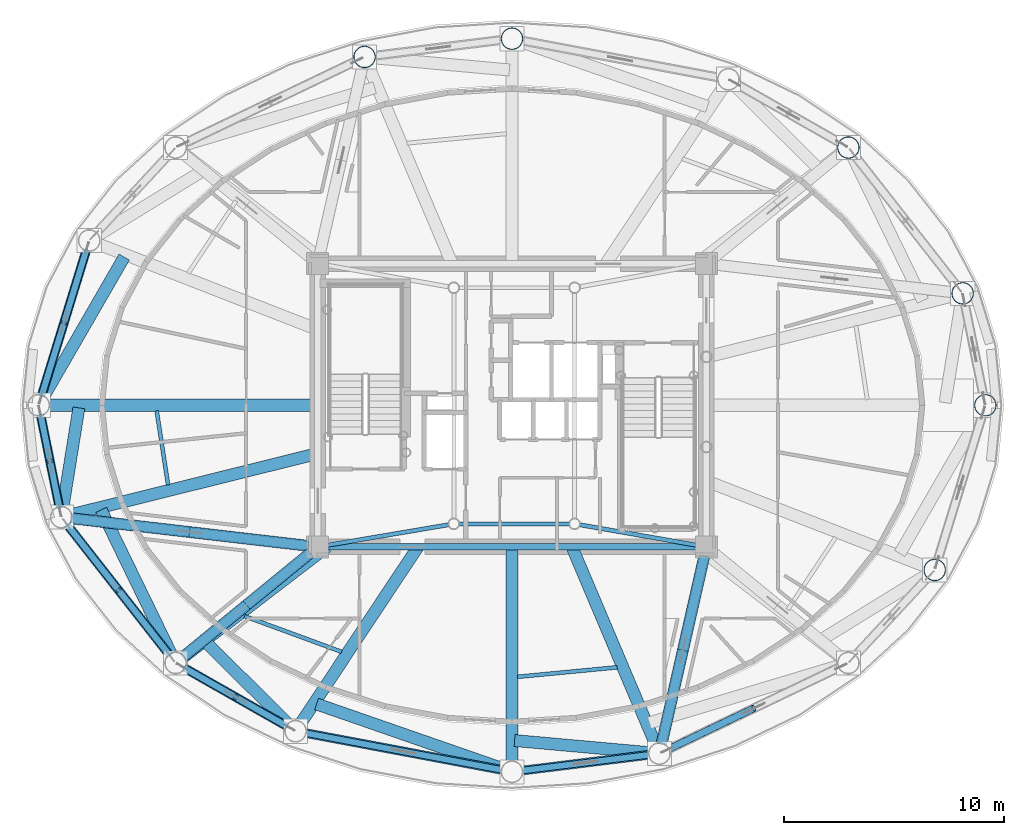
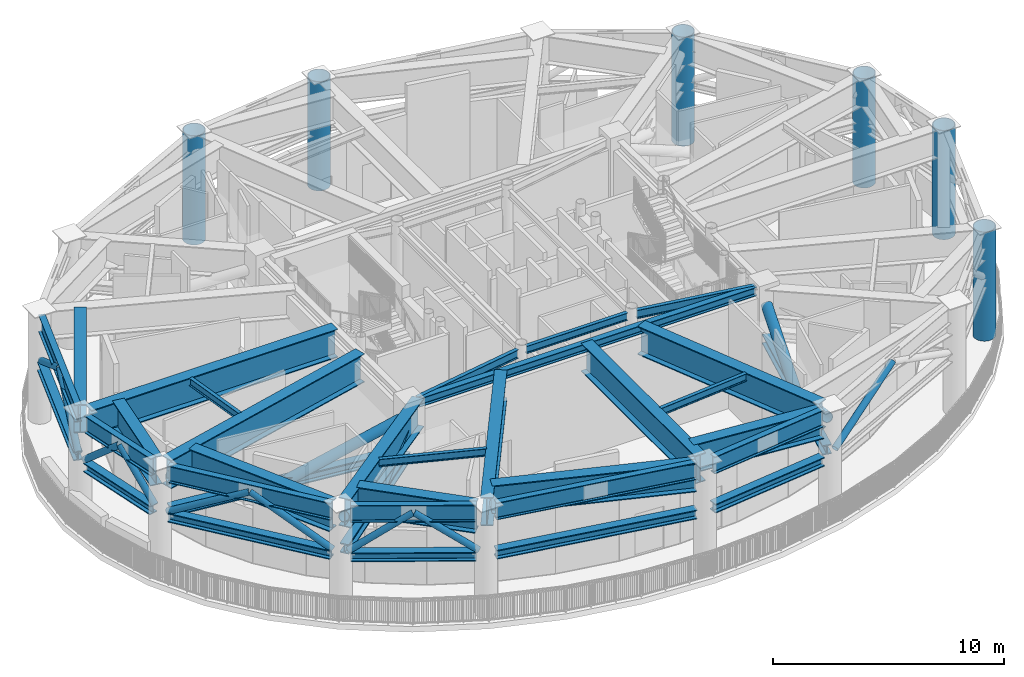
# One storey, part 2 of 17: 34 beams, 15 members, 6 columns.
"""IFC4 building model written with IfcOpenShell, lengths in metres."""

from ifc_helpers import new_model, si_unit, direction, frame, origin, origin_2d, place, context, subcontext, project, spatial, hollow_circle, i_section, extrude, material, material_profile, profile_set, type_object, element, save


model = new_model("IFC4")

# Units and contexts
model_context = context("Model", 3, precision=1e-05, world=origin(), true_north=direction((0.0, 1.0)))
body_context = subcontext(model_context, "Body", "Model", "MODEL_VIEW")
ifc_project = project(units=[si_unit("LENGTHUNIT", "METRE"), si_unit("AREAUNIT", "SQUARE_METRE"), si_unit("VOLUMEUNIT", "CUBIC_METRE"), si_unit("PLANEANGLEUNIT", "RADIAN"), si_unit("MASSUNIT", "GRAM", prefix="KILO")], contexts=[model_context])

# Site, building, storey
site_placement = place(None, origin())
site = spatial("IfcSite", under=ifc_project, at=site_placement, CompositionType="ELEMENT")
building_placement = place(site_placement, origin())
building = spatial("IfcBuilding", under=site, at=building_placement, Name="Linh Dai School and Residence Tower", CompositionType="ELEMENT")
storey_placement = place(building_placement, frame((0.0, 0.0, 318.0)))
storey = spatial("IfcBuildingStorey", under=building, at=storey_placement, Name="L79", CompositionType="ELEMENT", Elevation=318.0)

# Columns
ifc_material = material(Name="Structural Steel S355JR", Category="steel")
ifc_material_profile_1 = material_profile(ifc_material, hollow_circle(Radius=0.5, WallThickness=0.031982421875, at=origin_2d()), Name="CHS 1000x32")
ifc_profile_set_1 = profile_set([ifc_material_profile_1], Name="Structural Steel S355JR")
column_type = type_object("IfcColumnType", Name="COL-MC6", PredefinedType="COLUMN", material=ifc_profile_set_1)
for number, where, z_axis, x_axis, name in (
    (1, (57.550048828125, 27.0, 0.0), (0.0, 0.0, 1.0), (1.0, 0.0, 0.0), "L79 Perimeter CFT Mega-Column MC01"),
    (2, (56.5185546875, 32.094482421875, 0.0), (0.0, 0.0, 1.0), (1.0, 0.0, 0.0), "L79 Perimeter CFT Mega-Column MC02"),
    (3, (51.315185546875, 38.7333984375, 0.0), (0.0, 0.0, 1.0), (1.0, 0.0, 0.0), "L79 Perimeter CFT Mega-Column MC03"),
    (4, (36.0, 43.68994140625, 0.0), (0.0, 0.0, 1.0), (1.0, 0.0, 0.0), "L79 Perimeter CFT Mega-Column MC05"),
    (5, (29.28759765625, 42.857666015625, 0.0), (0.0, 0.0, 1.0), (1.0, 0.0, 0.0), "L79 Perimeter CFT Mega-Column MC06"),
    (6, (55.24609375, 19.50048828125, 0.0), (0.0, 0.0, 1.0), (1.0, 0.0, 0.0), "L79 Perimeter CFT Mega-Column MC16"),
):
    element("IfcColumn", number, at=place(storey_placement, frame(where, z_axis=z_axis, x_axis=x_axis)), inside=storey, type_object=column_type, Name=name, PredefinedType="COLUMN", context=body_context, shape_type="SweptSolid", body=[
        extrude(hollow_circle(Radius=0.5, WallThickness=0.031982421875, at=origin_2d()), origin(), (0.0, 0.0, 1.0), 5.75),
    ])

# Beams
ifc_material_profile_2 = material_profile(ifc_material, i_section(OverallWidth=0.41796875, OverallDepth=0.506103515625, WebThickness=0.038818359375, FlangeThickness=0.05810546875, FilletRadius=0.014892578125, at=origin_2d()), Name="HD 400x551")
ifc_profile_set_2 = profile_set([ifc_material_profile_2], Name="Structural Steel S355JR")
beam_type_1 = type_object("IfcBeamType", Name="BM-BC1", PredefinedType="BEAM", material=ifc_profile_set_2)
beam_1_placement = place(storey_placement, frame((26.73291015625, 20.598388671875, 3.10009765625), z_axis=(-0.993317946848, 0.115409949612, 0.0), x_axis=(-0.115409949612, -0.993317946848, 0.0)))
element("IfcBeam", 7, at=beam_1_placement, inside=storey, type_object=beam_type_1, Name="L79 Outrigger Truss OT3 Bottom Chord 05", PredefinedType="BEAM", context=body_context, shape_type="SweptSolid", body=[
    extrude(i_section(OverallWidth=0.41796875, OverallDepth=0.506103515625, WebThickness=0.038818359375, FlangeThickness=0.05810546875, FilletRadius=0.014892578125, at=origin_2d()), origin(), (0.0, 0.0, 1.0), 10.9072265625),
])
beam_2_placement = place(storey_placement, frame((26.82470703125, 20.2841796875, 3.10009765625), z_axis=(-0.774333784276, -0.632777362529, 0.0), x_axis=(0.632777362529, -0.774333784276, 0.0)))
element("IfcBeam", 8, at=beam_2_placement, inside=storey, type_object=beam_type_1, Name="L79 Outrigger Truss OT3 Bottom Chord 06", PredefinedType="BEAM", context=body_context, shape_type="SweptSolid", body=[
    extrude(i_section(OverallWidth=0.41796875, OverallDepth=0.506103515625, WebThickness=0.038818359375, FlangeThickness=0.05810546875, FilletRadius=0.014892578125, at=origin_2d()), origin(), (0.0, 0.0, 1.0), 7.50927734375),
])
beam_3_placement = place(storey_placement, frame((44.7568359375, 20.140380859375, 3.10009765625), z_axis=(-0.221562396548, -0.975146196442, 0.0), x_axis=(0.975146196442, -0.221562396548, 0.0)))
element("IfcBeam", 9, at=beam_3_placement, inside=storey, type_object=beam_type_1, Name="L79 Outrigger Truss OT3 Bottom Chord 07", PredefinedType="BEAM", context=body_context, shape_type="SweptSolid", body=[
    extrude(i_section(OverallWidth=0.41796875, OverallDepth=0.506103515625, WebThickness=0.038818359375, FlangeThickness=0.05810546875, FilletRadius=0.014892578125, at=origin_2d()), origin(), (0.0, 0.0, 1.0), 8.8076171875),
])
ifc_material_profile_3 = material_profile(ifc_material, i_section(OverallWidth=0.408935546875, OverallDepth=0.47509765625, WebThickness=0.02978515625, FlangeThickness=0.048095703125, FilletRadius=0.014892578125, at=origin_2d()), Name="HD 400x421")
ifc_profile_set_3 = profile_set([ifc_material_profile_3], Name="Structural Steel S355JR")
beam_type_2 = type_object("IfcBeamType", Name="BM-BC2", PredefinedType="BEAM", material=ifc_profile_set_3)
beam_4_placement = place(storey_placement, frame((16.630615234375, 34.097900390625, 3.050048828125), z_axis=(-0.293681749834, -0.955903253376, 0.0), x_axis=(0.955903253376, -0.293681749834, 0.0)))
element("IfcBeam", 10, at=beam_4_placement, inside=storey, type_object=beam_type_2, Name="L79 Ring Belt Truss BT4 Bottom Chord 08", PredefinedType="BEAM", context=body_context, shape_type="SweptSolid", body=[
    extrude(i_section(OverallWidth=0.408935546875, OverallDepth=0.47509765625, WebThickness=0.02978515625, FlangeThickness=0.048095703125, FilletRadius=0.014892578125, at=origin_2d()), origin(), (0.0, 0.0, 1.0), 7.00537109375),
])
beam_5_placement = place(storey_placement, frame((14.533447265625, 26.58837890625, 3.050048828125), z_axis=(0.198442801529, -0.980112470343, 0.0), x_axis=(0.980112470343, 0.198442801529, 0.0)))
element("IfcBeam", 11, at=beam_5_placement, inside=storey, type_object=beam_type_2, Name="L79 Ring Belt Truss BT4 Bottom Chord 09", PredefinedType="BEAM", context=body_context, shape_type="SweptSolid", body=[
    extrude(i_section(OverallWidth=0.408935546875, OverallDepth=0.47509765625, WebThickness=0.02978515625, FlangeThickness=0.048095703125, FilletRadius=0.014892578125, at=origin_2d()), origin(), (0.0, 0.0, 1.0), 4.357666015625),
])
beam_6_placement = place(storey_placement, frame((15.740478515625, 21.574951171875, 3.050048828125), z_axis=(0.616882739554, -0.787055071542, 0.0), x_axis=(0.787055071542, 0.616882739554, 0.0)))
element("IfcBeam", 12, at=beam_6_placement, inside=storey, type_object=beam_type_2, Name="L79 Ring Belt Truss BT4 Bottom Chord 10", PredefinedType="BEAM", context=body_context, shape_type="SweptSolid", body=[
    extrude(i_section(OverallWidth=0.408935546875, OverallDepth=0.47509765625, WebThickness=0.02978515625, FlangeThickness=0.048095703125, FilletRadius=0.014892578125, at=origin_2d()), origin(), (0.0, 0.0, 1.0), 7.59521484375),
])
beam_7_placement = place(storey_placement, frame((21.050048828125, 15.05908203125, 3.050048828125), z_axis=(0.869265548778, -0.494345431564, 0.0), x_axis=(0.494345431564, 0.869265548778, 0.0)))
element("IfcBeam", 13, at=beam_7_placement, inside=storey, type_object=beam_type_2, Name="L79 Ring Belt Truss BT4 Bottom Chord 11", PredefinedType="BEAM", context=body_context, shape_type="SweptSolid", body=[
    extrude(i_section(OverallWidth=0.408935546875, OverallDepth=0.47509765625, WebThickness=0.02978515625, FlangeThickness=0.048095703125, FilletRadius=0.014892578125, at=origin_2d()), origin(), (0.0, 0.0, 1.0), 5.44189453125),
])
beam_8_placement = place(storey_placement, frame((26.558349609375, 12.083740234375, 3.050048828125), z_axis=(0.982805333306, -0.184644731378, 0.0), x_axis=(0.184644731378, 0.982805333306, 0.0)))
element("IfcBeam", 14, at=beam_8_placement, inside=storey, type_object=beam_type_2, Name="L79 Ring Belt Truss BT4 Bottom Chord 12", PredefinedType="BEAM", context=body_context, shape_type="SweptSolid", body=[
    extrude(i_section(OverallWidth=0.408935546875, OverallDepth=0.47509765625, WebThickness=0.02978515625, FlangeThickness=0.048095703125, FilletRadius=0.014892578125, at=origin_2d()), origin(), (0.0, 0.0, 1.0), 9.186767578125),
])
beam_9_placement = place(storey_placement, frame((36.416748046875, 10.361572265625, 3.050048828125), z_axis=(0.992399134443, 0.123060789678, 0.0), x_axis=(-0.123060789678, 0.992399134443, 0.0)))
element("IfcBeam", 15, at=beam_9_placement, inside=storey, type_object=beam_type_2, Name="L79 Ring Belt Truss BT4 Bottom Chord 13", PredefinedType="BEAM", context=body_context, shape_type="SweptSolid", body=[
    extrude(i_section(OverallWidth=0.408935546875, OverallDepth=0.47509765625, WebThickness=0.02978515625, FlangeThickness=0.048095703125, FilletRadius=0.014892578125, at=origin_2d()), origin(), (0.0, 0.0, 1.0), 5.923828125),
])
ifc_material_profile_4 = material_profile(ifc_material, i_section(OverallWidth=0.300048828125, OverallDepth=0.449951171875, WebThickness=0.013916015625, FlangeThickness=0.02587890625, FilletRadius=0.027099609375, at=origin_2d()), Name="HEB 450")
ifc_profile_set_4 = profile_set([ifc_material_profile_4], Name="Structural Steel S355JR")
beam_type_3 = type_object("IfcBeamType", Name="BM-RG45", PredefinedType="BEAM", material=ifc_profile_set_4)
beam_10_placement = place(storey_placement, frame((27.570068359375, 20.550048828125, 5.52490234375), z_axis=(1.0, 0.0, 0.0), x_axis=(0.0, 1.0, 0.0)))
element("IfcBeam", 16, at=beam_10_placement, inside=storey, type_object=beam_type_3, Name="L79 Core Perimeter Coupling Girder 1", PredefinedType="BEAM", context=body_context, shape_type="SweptSolid", body=[
    extrude(i_section(OverallWidth=0.300048828125, OverallDepth=0.449951171875, WebThickness=0.013916015625, FlangeThickness=0.02587890625, FilletRadius=0.027099609375, at=origin_2d()), origin(), (0.0, 0.0, 1.0), 16.85986328125),
])
ifc_material_profile_5 = material_profile(ifc_material, i_section(OverallWidth=0.300048828125, OverallDepth=0.89990234375, WebThickness=0.0185546875, FlangeThickness=0.034912109375, FilletRadius=0.030029296875, at=origin_2d()), Name="HEB 900")
ifc_profile_set_5 = profile_set([ifc_material_profile_5], Name="Structural Steel S355JR")
beam_type_4 = type_object("IfcBeamType", Name="BM-RG9", PredefinedType="BEAM", material=ifc_profile_set_5)
beam_11_placement = place(storey_placement, frame((16.630615234375, 34.097900390625, 5.300048828125), z_axis=(-0.293681749834, -0.955903253376, 0.0), x_axis=(0.955903253376, -0.293681749834, 0.0)))
element("IfcBeam", 17, at=beam_11_placement, inside=storey, type_object=beam_type_4, Name="L79 Perimeter Elliptical Ring Beam 08", PredefinedType="BEAM", context=body_context, shape_type="SweptSolid", body=[
    extrude(i_section(OverallWidth=0.300048828125, OverallDepth=0.89990234375, WebThickness=0.0185546875, FlangeThickness=0.034912109375, FilletRadius=0.030029296875, at=origin_2d()), origin(), (0.0, 0.0, 1.0), 7.00537109375),
])
beam_12_placement = place(storey_placement, frame((14.533447265625, 26.58837890625, 5.300048828125), z_axis=(0.198442801529, -0.980112470343, 0.0), x_axis=(0.980112470343, 0.198442801529, 0.0)))
element("IfcBeam", 18, at=beam_12_placement, inside=storey, type_object=beam_type_4, Name="L79 Perimeter Elliptical Ring Beam 09", PredefinedType="BEAM", context=body_context, shape_type="SweptSolid", body=[
    extrude(i_section(OverallWidth=0.300048828125, OverallDepth=0.89990234375, WebThickness=0.0185546875, FlangeThickness=0.034912109375, FilletRadius=0.030029296875, at=origin_2d()), origin(), (0.0, 0.0, 1.0), 4.357666015625),
])
beam_13_placement = place(storey_placement, frame((15.740478515625, 21.574951171875, 5.300048828125), z_axis=(0.616882739554, -0.787055071542, 0.0), x_axis=(0.787055071542, 0.616882739554, 0.0)))
element("IfcBeam", 19, at=beam_13_placement, inside=storey, type_object=beam_type_4, Name="L79 Perimeter Elliptical Ring Beam 10", PredefinedType="BEAM", context=body_context, shape_type="SweptSolid", body=[
    extrude(i_section(OverallWidth=0.300048828125, OverallDepth=0.89990234375, WebThickness=0.0185546875, FlangeThickness=0.034912109375, FilletRadius=0.030029296875, at=origin_2d()), origin(), (0.0, 0.0, 1.0), 7.59521484375),
])
beam_14_placement = place(storey_placement, frame((21.050048828125, 15.05908203125, 5.300048828125), z_axis=(0.869265548778, -0.494345431564, 0.0), x_axis=(0.494345431564, 0.869265548778, 0.0)))
element("IfcBeam", 20, at=beam_14_placement, inside=storey, type_object=beam_type_4, Name="L79 Perimeter Elliptical Ring Beam 11", PredefinedType="BEAM", context=body_context, shape_type="SweptSolid", body=[
    extrude(i_section(OverallWidth=0.300048828125, OverallDepth=0.89990234375, WebThickness=0.0185546875, FlangeThickness=0.034912109375, FilletRadius=0.030029296875, at=origin_2d()), origin(), (0.0, 0.0, 1.0), 5.44189453125),
])
beam_15_placement = place(storey_placement, frame((26.558349609375, 12.083740234375, 5.300048828125), z_axis=(0.982805333306, -0.184644731378, 0.0), x_axis=(0.184644731378, 0.982805333306, 0.0)))
element("IfcBeam", 21, at=beam_15_placement, inside=storey, type_object=beam_type_4, Name="L79 Perimeter Elliptical Ring Beam 12", PredefinedType="BEAM", context=body_context, shape_type="SweptSolid", body=[
    extrude(i_section(OverallWidth=0.300048828125, OverallDepth=0.89990234375, WebThickness=0.0185546875, FlangeThickness=0.034912109375, FilletRadius=0.030029296875, at=origin_2d()), origin(), (0.0, 0.0, 1.0), 9.186767578125),
])
beam_16_placement = place(storey_placement, frame((36.416748046875, 10.361572265625, 5.300048828125), z_axis=(0.992399134443, 0.123060789678, 0.0), x_axis=(-0.123060789678, 0.992399134443, 0.0)))
element("IfcBeam", 22, at=beam_16_placement, inside=storey, type_object=beam_type_4, Name="L79 Perimeter Elliptical Ring Beam 13", PredefinedType="BEAM", context=body_context, shape_type="SweptSolid", body=[
    extrude(i_section(OverallWidth=0.300048828125, OverallDepth=0.89990234375, WebThickness=0.0185546875, FlangeThickness=0.034912109375, FilletRadius=0.030029296875, at=origin_2d()), origin(), (0.0, 0.0, 1.0), 5.923828125),
])
ifc_material_profile_6 = material_profile(ifc_material, i_section(OverallWidth=0.179931640625, OverallDepth=0.39990234375, WebThickness=0.008544921875, FlangeThickness=0.013427734375, FilletRadius=0.02099609375, at=origin_2d()), Name="IPE 400")
ifc_profile_set_6 = profile_set([ifc_material_profile_6], Name="Structural Steel S355JR")
beam_type_5 = type_object("IfcBeamType", Name="BM-SB40", PredefinedType="BEAM", material=ifc_profile_set_6)
beam_17_placement = place(storey_placement, frame((33.573974609375, 21.60009765625, 5.550048828125), z_axis=(1.0, 0.0, 0.0), x_axis=(0.0, 1.0, 0.0)))
element("IfcBeam", 23, at=beam_17_placement, inside=storey, type_object=beam_type_5, Name="L79 Core Mast Pier Tie Beam 1", PredefinedType="BEAM", context=body_context, shape_type="SweptSolid", body=[
    extrude(i_section(OverallWidth=0.179931640625, OverallDepth=0.39990234375, WebThickness=0.008544921875, FlangeThickness=0.013427734375, FilletRadius=0.02099609375, at=origin_2d()), origin(), (0.0, 0.0, 1.0), 5.052001953125),
])
beam_18_placement = place(storey_placement, frame((19.822998046875, 26.748046875, 5.550048828125), z_axis=(0.152417273889, -0.988316232094, 0.0), x_axis=(0.988316232094, 0.152417273889, 0.0)))
element("IfcBeam", 24, at=beam_18_placement, inside=storey, type_object=beam_type_5, Name="L79 Secondary Circumferential Floor Beam 05", PredefinedType="BEAM", context=body_context, shape_type="SweptSolid", body=[
    extrude(i_section(OverallWidth=0.179931640625, OverallDepth=0.39990234375, WebThickness=0.008544921875, FlangeThickness=0.013427734375, FilletRadius=0.02099609375, at=origin_2d()), origin(), (0.0, 0.0, 1.0), 3.413330078125),
])
beam_19_placement = place(storey_placement, frame((23.820556640625, 17.397705078125, 5.550048828125), z_axis=(0.938701567491, -0.344730861962, 0.0), x_axis=(0.344730861962, 0.938701567491, 0.0)))
element("IfcBeam", 25, at=beam_19_placement, inside=storey, type_object=beam_type_5, Name="L79 Secondary Circumferential Floor Beam 06", PredefinedType="BEAM", context=body_context, shape_type="SweptSolid", body=[
    extrude(i_section(OverallWidth=0.179931640625, OverallDepth=0.39990234375, WebThickness=0.008544921875, FlangeThickness=0.013427734375, FilletRadius=0.02099609375, at=origin_2d()), origin(), (0.0, 0.0, 1.0), 4.714599609375),
])
beam_20_placement = place(storey_placement, frame((36.25390625, 14.635009765625, 5.550048828125), z_axis=(0.995444720932, 0.095340482322, 0.0), x_axis=(-0.095340482322, 0.995444720932, 0.0)))
element("IfcBeam", 26, at=beam_20_placement, inside=storey, type_object=beam_type_5, Name="L79 Secondary Circumferential Floor Beam 07", PredefinedType="BEAM", context=body_context, shape_type="SweptSolid", body=[
    extrude(i_section(OverallWidth=0.179931640625, OverallDepth=0.39990234375, WebThickness=0.008544921875, FlangeThickness=0.013427734375, FilletRadius=0.02099609375, at=origin_2d()), origin(), (0.0, 0.0, 1.0), 4.552978515625),
])
ifc_material_profile_7 = material_profile(ifc_material, i_section(OverallWidth=0.18994140625, OverallDepth=0.449951171875, WebThickness=0.009521484375, FlangeThickness=0.0146484375, FilletRadius=0.02099609375, at=origin_2d()), Name="IPE 450")
ifc_profile_set_7 = profile_set([ifc_material_profile_7], Name="Structural Steel S355JR")
beam_type_6 = type_object("IfcBeamType", Name="BM-SB45", PredefinedType="BEAM", material=ifc_profile_set_7)
beam_21_placement = place(storey_placement, frame((27.564208984375, 20.6201171875, 5.52490234375), z_axis=(0.98596270559, 0.166965694638, 0.0), x_axis=(-0.166965694638, 0.98596270559, 0.0)))
element("IfcBeam", 27, at=beam_21_placement, inside=storey, type_object=beam_type_6, Name="L79 Core Corner-to-Mast Pier Beam 1", PredefinedType="BEAM", context=body_context, shape_type="SweptSolid", body=[
    extrude(i_section(OverallWidth=0.18994140625, OverallDepth=0.449951171875, WebThickness=0.009521484375, FlangeThickness=0.0146484375, FilletRadius=0.02099609375, at=origin_2d()), origin(), (0.0, 0.0, 1.0), 5.644287109375),
])
beam_22_placement = place(storey_placement, frame((44.436279296875, 20.622314453125, 5.52490234375), z_axis=(-0.985031608673, 0.17237380867, 0.0), x_axis=(-0.17237380867, -0.985031608673, 0.0)))
element("IfcBeam", 28, at=beam_22_placement, inside=storey, type_object=beam_type_6, Name="L79 Core Corner-to-Mast Pier Beam 2", PredefinedType="BEAM", context=body_context, shape_type="SweptSolid", body=[
    extrude(i_section(OverallWidth=0.18994140625, OverallDepth=0.449951171875, WebThickness=0.009521484375, FlangeThickness=0.0146484375, FilletRadius=0.02099609375, at=origin_2d()), origin(), (0.0, 0.0, 1.0), 5.447265625),
])
ifc_material_profile_8 = material_profile(ifc_material, i_section(OverallWidth=0.550048828125, OverallDepth=1.5, WebThickness=0.028076171875, FlangeThickness=0.050048828125, at=origin_2d()), Name="PG 1500x550x28x50")
ifc_profile_set_8 = profile_set([ifc_material_profile_8], Name="Structural Steel S355JR")
beam_type_7 = type_object("IfcBeamType", Name="BM-TG15", PredefinedType="BEAM", material=ifc_profile_set_8)
beam_23_placement = place(storey_placement, frame((18.344970703125, 33.74853515625, 5.0), z_axis=(-0.499879175659, -0.866095150513, 0.0), x_axis=(0.866095150513, -0.499879175659, 0.0)))
element("IfcBeam", 29, at=beam_23_placement, inside=storey, type_object=beam_type_7, Name="L79 Setback Diaphragm Transfer Girder 08", PredefinedType="BEAM", context=body_context, shape_type="SweptSolid", body=[
    extrude(i_section(OverallWidth=0.550048828125, OverallDepth=1.5, WebThickness=0.028076171875, FlangeThickness=0.050048828125, at=origin_2d()), origin(), (0.0, 0.0, 1.0), 7.371826171875),
])
beam_24_placement = place(storey_placement, frame((27.14990234375, 27.0, 5.0), z_axis=(-1.0, 0.0, 0.0), x_axis=(0.0, -1.0, 0.0)))
element("IfcBeam", 30, at=beam_24_placement, inside=storey, type_object=beam_type_7, Name="L79 Radial Setback Transfer Girder 09", PredefinedType="BEAM", context=body_context, shape_type="SweptSolid", body=[
    extrude(i_section(OverallWidth=0.550048828125, OverallDepth=1.5, WebThickness=0.028076171875, FlangeThickness=0.050048828125, at=origin_2d()), origin(), (0.0, 0.0, 1.0), 12.27978515625),
])
beam_25_placement = place(storey_placement, frame((16.281005859375, 26.881591796875, 5.0), z_axis=(-0.158645897724, -0.987335545362, 0.0), x_axis=(0.987335545362, -0.158645897724, 0.0)))
element("IfcBeam", 31, at=beam_25_placement, inside=storey, type_object=beam_type_7, Name="L79 Setback Diaphragm Transfer Girder 09", PredefinedType="BEAM", context=body_context, shape_type="SweptSolid", body=[
    extrude(i_section(OverallWidth=0.550048828125, OverallDepth=1.5, WebThickness=0.028076171875, FlangeThickness=0.050048828125, at=origin_2d()), origin(), (0.0, 0.0, 1.0), 4.619873046875),
])
beam_26_placement = place(storey_placement, frame((27.14990234375, 24.802734375, 5.0), z_axis=(-0.970532368701, -0.240970789315, 0.0), x_axis=(0.240970789315, -0.970532368701, 0.0)))
element("IfcBeam", 32, at=beam_26_placement, inside=storey, type_object=beam_type_7, Name="L79 Radial Setback Transfer Girder 10", PredefinedType="BEAM", context=body_context, shape_type="SweptSolid", body=[
    extrude(i_section(OverallWidth=0.550048828125, OverallDepth=1.5, WebThickness=0.028076171875, FlangeThickness=0.050048828125, at=origin_2d()), origin(), (0.0, 0.0, 1.0), 11.6025390625),
])
beam_27_placement = place(storey_placement, frame((17.294677734375, 22.2373046875, 5.0), z_axis=(0.437369650216, -0.899281818492, 0.0), x_axis=(0.899281818492, 0.437369650216, 0.0)))
element("IfcBeam", 33, at=beam_27_placement, inside=storey, type_object=beam_type_7, Name="L79 Setback Diaphragm Transfer Girder 10", PredefinedType="BEAM", context=body_context, shape_type="SweptSolid", body=[
    extrude(i_section(OverallWidth=0.550048828125, OverallDepth=1.5, WebThickness=0.028076171875, FlangeThickness=0.050048828125, at=origin_2d()), origin(), (0.0, 0.0, 1.0), 7.33154296875),
])
beam_28_placement = place(storey_placement, frame((27.5810546875, 20.550048828125, 5.0), z_axis=(-0.793802616583, -0.608175472956, 0.0), x_axis=(0.608175472956, -0.793802616583, 0.0)))
element("IfcBeam", 34, at=beam_28_placement, inside=storey, type_object=beam_type_7, Name="L79 Radial Setback Transfer Girder 11", PredefinedType="BEAM", context=body_context, shape_type="SweptSolid", body=[
    extrude(i_section(OverallWidth=0.550048828125, OverallDepth=1.5, WebThickness=0.028076171875, FlangeThickness=0.050048828125, at=origin_2d()), origin(), (0.0, 0.0, 1.0), 8.267578125),
])
beam_29_placement = place(storey_placement, frame((22.082763671875, 16.192626953125, 5.0), z_axis=(0.709840484689, -0.704362467978, 0.0), x_axis=(0.704362467978, 0.709840484689, 0.0)))
element("IfcBeam", 35, at=beam_29_placement, inside=storey, type_object=beam_type_7, Name="L79 Setback Diaphragm Transfer Girder 11", PredefinedType="BEAM", context=body_context, shape_type="SweptSolid", body=[
    extrude(i_section(OverallWidth=0.550048828125, OverallDepth=1.5, WebThickness=0.028076171875, FlangeThickness=0.050048828125, at=origin_2d()), origin(), (0.0, 0.0, 1.0), 5.303466796875),
])
beam_30_placement = place(storey_placement, frame((31.716552734375, 20.550048828125, 5.0), z_axis=(-0.553210566646, -0.833041456922, 0.0), x_axis=(0.833041456922, -0.553210566646, 0.0)))
element("IfcBeam", 36, at=beam_30_placement, inside=storey, type_object=beam_type_7, Name="L79 Radial Setback Transfer Girder 12", PredefinedType="BEAM", context=body_context, shape_type="SweptSolid", body=[
    extrude(i_section(OverallWidth=0.550048828125, OverallDepth=1.5, WebThickness=0.028076171875, FlangeThickness=0.050048828125, at=origin_2d()), origin(), (0.0, 0.0, 1.0), 9.650146484375),
])
beam_31_placement = place(storey_placement, frame((27.10302734375, 13.398681640625, 5.0), z_axis=(0.944692462933, -0.327957543713, 0.0), x_axis=(0.327957543713, 0.944692462933, 0.0)))
element("IfcBeam", 37, at=beam_31_placement, inside=storey, type_object=beam_type_7, Name="L79 Setback Diaphragm Transfer Girder 12", PredefinedType="BEAM", context=body_context, shape_type="SweptSolid", body=[
    extrude(i_section(OverallWidth=0.550048828125, OverallDepth=1.5, WebThickness=0.028076171875, FlangeThickness=0.050048828125, at=origin_2d()), origin(), (0.0, 0.0, 1.0), 8.997802734375),
])
beam_32_placement = place(storey_placement, frame((36.0, 20.550048828125, 5.0), z_axis=(0.0, -1.0, 0.0), x_axis=(1.0, 0.0, 0.0)))
element("IfcBeam", 38, at=beam_32_placement, inside=storey, type_object=beam_type_7, Name="L79 Radial Setback Transfer Girder 13", PredefinedType="BEAM", context=body_context, shape_type="SweptSolid", body=[
    extrude(i_section(OverallWidth=0.550048828125, OverallDepth=1.5, WebThickness=0.028076171875, FlangeThickness=0.050048828125, at=origin_2d()), origin(), (0.0, 0.0, 1.0), 9.820068359375),
])
beam_33_placement = place(storey_placement, frame((36.11962890625, 11.734375, 5.0), z_axis=(0.995989156709, -0.089474017004, 0.0), x_axis=(0.089474017004, 0.995989156709, 0.0)))
element("IfcBeam", 39, at=beam_33_placement, inside=storey, type_object=beam_type_7, Name="L79 Setback Diaphragm Transfer Girder 13", PredefinedType="BEAM", context=body_context, shape_type="SweptSolid", body=[
    extrude(i_section(OverallWidth=0.550048828125, OverallDepth=1.5, WebThickness=0.028076171875, FlangeThickness=0.050048828125, at=origin_2d()), origin(), (0.0, 0.0, 1.0), 6.199462890625),
])
beam_34_placement = place(storey_placement, frame((38.730224609375, 20.550048828125, 5.0), z_axis=(0.389794463678, -0.920901881899, 0.0), x_axis=(0.920901881899, 0.389794463678, 0.0)))
element("IfcBeam", 40, at=beam_34_placement, inside=storey, type_object=beam_type_7, Name="L79 Radial Setback Transfer Girder 14", PredefinedType="BEAM", context=body_context, shape_type="SweptSolid", body=[
    extrude(i_section(OverallWidth=0.550048828125, OverallDepth=1.5, WebThickness=0.028076171875, FlangeThickness=0.050048828125, at=origin_2d()), origin(), (0.0, 0.0, 1.0), 9.7958984375),
])

# Members
ifc_material_profile_9 = material_profile(ifc_material, hollow_circle(Radius=0.161865234375, WallThickness=0.012451171875, at=origin_2d()), Name="CHS 323.9x12.5")
ifc_profile_set_9 = profile_set([ifc_material_profile_9], Name="Structural Steel S355JR")
member_type_1 = type_object("IfcMemberType", Name="MBR-BT4", PredefinedType="BRACE", material=ifc_profile_set_9)
member_1_placement = place(storey_placement, frame((16.64697265625, 34.151123046875, 3.259033203125), z_axis=(-0.254730938929, -0.829184916158, 0.497558562954), x_axis=(0.955909463753, -0.293661534946, 0.0)))
element("IfcMember", 41, at=member_1_placement, inside=storey, type_object=member_type_1, Name="L79 Ring Belt Truss BT4 Diagonal 08A", PredefinedType="BRACE", context=body_context, shape_type="SweptSolid", body=[
    extrude(hollow_circle(Radius=0.161865234375, WallThickness=0.012451171875, at=origin_2d()), origin(), (0.0, 0.0, 1.0), 4.10205078125),
])
member_2_placement = place(storey_placement, frame((14.556884765625, 27.34814453125, 3.259033203125), z_axis=(0.254774019415, 0.829190939618, 0.497526466318), x_axis=(-0.955896120374, 0.293704966003, 0.0)))
element("IfcMember", 42, at=member_2_placement, inside=storey, type_object=member_type_1, Name="L79 Ring Belt Truss BT4 Diagonal 08B", PredefinedType="BRACE", context=body_context, shape_type="SweptSolid", body=[
    extrude(hollow_circle(Radius=0.161865234375, WallThickness=0.012451171875, at=origin_2d()), origin(), (0.0, 0.0, 1.0), 4.102294921875),
])
for number, where, z_axis, x_axis, name in (
    (43, (14.512939453125, 26.688720703125, 3.324951171875), (0.150086560674, -0.740966427304, 0.65455540477), (0.980096125696, 0.198523510938, 0.0), "L79 Ring Belt Truss BT4 Diagonal 09A"),
    (44, (15.41845703125, 22.216796875, 3.324951171875), (-0.149998479596, 0.741011906485, 0.654524109997), (-0.980121156921, -0.19839989354, 0.0), "L79 Ring Belt Truss BT4 Diagonal 09B"),
):
    element("IfcMember", number, at=place(storey_placement, frame(where, z_axis=z_axis, x_axis=x_axis)), inside=storey, type_object=member_type_1, Name=name, PredefinedType="BRACE", context=body_context, shape_type="SweptSolid", body=[
        extrude(hollow_circle(Radius=0.161865234375, WallThickness=0.012451171875, at=origin_2d()), origin(), (0.0, 0.0, 1.0), 3.017578125),
    ])
member_3_placement = place(storey_placement, frame((15.7099609375, 21.614013671875, 3.247802734375), z_axis=(0.544298571084, -0.694413216602, 0.470669045215), x_axis=(0.78704009278, 0.616901849856, 0.0)))
element("IfcMember", 45, at=member_3_placement, inside=storey, type_object=member_type_1, Name="L79 Ring Belt Truss BT4 Diagonal 10A", PredefinedType="BRACE", context=body_context, shape_type="SweptSolid", body=[
    extrude(hollow_circle(Radius=0.161865234375, WallThickness=0.012451171875, at=origin_2d()), origin(), (0.0, 0.0, 1.0), 4.3603515625),
])
member_4_placement = place(storey_placement, frame((20.456298828125, 15.558349609375, 3.247802734375), z_axis=(-0.544259165501, 0.694434379685, 0.470683389424), x_axis=(-0.787070904875, -0.616862537928, 0.0)))
element("IfcMember", 46, at=member_4_placement, inside=storey, type_object=member_type_1, Name="L79 Ring Belt Truss BT4 Diagonal 10B", PredefinedType="BRACE", context=body_context, shape_type="SweptSolid", body=[
    extrude(hollow_circle(Radius=0.161865234375, WallThickness=0.012451171875, at=origin_2d()), origin(), (0.0, 0.0, 1.0), 4.360107421875),
])
member_5_placement = place(storey_placement, frame((20.981689453125, 15.097900390625, 3.294677734375), z_axis=(0.7066689285, -0.401896684959, 0.582321285985), x_axis=(0.494362952352, 0.869255584591, 0.0)))
element("IfcMember", 47, at=member_5_placement, inside=storey, type_object=member_type_1, Name="L79 Ring Belt Truss BT4 Diagonal 11A", PredefinedType="BRACE", context=body_context, shape_type="SweptSolid", body=[
    extrude(hollow_circle(Radius=0.161865234375, WallThickness=0.012451171875, at=origin_2d()), origin(), (0.0, 0.0, 1.0), 3.44384765625),
])
member_6_placement = place(storey_placement, frame((25.848876953125, 12.330078125, 3.294677734375), z_axis=(-0.706689061971, 0.401837239491, 0.582337876708), x_axis=(-0.494297055825, -0.869293057951, 0.0)))
element("IfcMember", 48, at=member_6_placement, inside=storey, type_object=member_type_1, Name="L79 Ring Belt Truss BT4 Diagonal 11B", PredefinedType="BRACE", context=body_context, shape_type="SweptSolid", body=[
    extrude(hollow_circle(Radius=0.161865234375, WallThickness=0.012451171875, at=origin_2d()), origin(), (0.0, 0.0, 1.0), 3.443603515625),
])
member_7_placement = place(storey_placement, frame((43.054931640625, 11.306396484375, 3.229248046875), z_axis=(0.815549744351, 0.391001154029, 0.426610726585), x_axis=(-0.432315209111, 0.901722551549, 0.0)))
element("IfcMember", 49, at=member_7_placement, inside=storey, type_object=member_type_1, Name="L79 Ring Belt Truss BT4 Diagonal 14A", PredefinedType="BRACE", context=body_context, shape_type="SweptSolid", body=[
    extrude(hollow_circle(Radius=0.161865234375, WallThickness=0.012451171875, at=origin_2d()), origin(), (0.0, 0.0, 1.0), 4.85400390625),
])
ifc_material_profile_10 = material_profile(ifc_material, hollow_circle(Radius=0.25390625, WallThickness=0.02001953125, at=origin_2d()), Name="CHS 508x20")
ifc_profile_set_10 = profile_set([ifc_material_profile_10], Name="Structural Steel S355JR")
member_type_2 = type_object("IfcMemberType", Name="MBR-OT3", PredefinedType="BRACE", material=ifc_profile_set_10)
member_8_placement = place(storey_placement, frame((26.753173828125, 20.59619140625, 4.870849609375), z_axis=(-0.945103823639, 0.109778358107, -0.307778288113), x_axis=(-0.115379077168, -0.993321533317, 0.0)))
element("IfcMember", 50, at=member_8_placement, inside=storey, type_object=member_type_2, Name="L79 Outrigger Truss OT3 Web Diagonal 05A", PredefinedType="BRACE", context=body_context, shape_type="SweptSolid", body=[
    extrude(hollow_circle(Radius=0.25390625, WallThickness=0.02001953125, at=origin_2d()), origin(), (0.0, 0.0, 1.0), 5.75341796875),
])
member_9_placement = place(storey_placement, frame((15.87841796875, 21.859619140625, 4.870849609375), z_axis=(0.945094888424, -0.109824685521, -0.307789197869), x_axis=(0.115428196283, 0.993315826665, 0.0)))
element("IfcMember", 51, at=member_9_placement, inside=storey, type_object=member_type_2, Name="L79 Outrigger Truss OT3 Web Diagonal 05B", PredefinedType="BRACE", context=body_context, shape_type="SweptSolid", body=[
    extrude(hollow_circle(Radius=0.25390625, WallThickness=0.02001953125, at=origin_2d()), origin(), (0.0, 0.0, 1.0), 5.753173828125),
])
member_10_placement = place(storey_placement, frame((26.85400390625, 20.30810546875, 4.825927734375), z_axis=(-0.704764011253, -0.57597524365, -0.414198270331), x_axis=(0.632810011578, -0.774307102671, 0.0)))
element("IfcMember", 52, at=member_10_placement, inside=storey, type_object=member_type_2, Name="L79 Outrigger Truss OT3 Web Diagonal 06A", PredefinedType="BRACE", context=body_context, shape_type="SweptSolid", body=[
    extrude(hollow_circle(Radius=0.25390625, WallThickness=0.02001953125, at=origin_2d()), origin(), (0.0, 0.0, 1.0), 4.166748046875),
])
member_11_placement = place(storey_placement, frame((20.98095703125, 15.508544921875, 4.825927734375), z_axis=(0.704787795956, 0.575936086336, -0.414212248887), x_axis=(-0.632771412863, 0.774338646242, 0.0)))
element("IfcMember", 53, at=member_11_placement, inside=storey, type_object=member_type_2, Name="L79 Outrigger Truss OT3 Web Diagonal 06B", PredefinedType="BRACE", context=body_context, shape_type="SweptSolid", body=[
    extrude(hollow_circle(Radius=0.25390625, WallThickness=0.02001953125, at=origin_2d()), origin(), (0.0, 0.0, 1.0), 4.16650390625),
])
member_12_placement = place(storey_placement, frame((44.763427734375, 20.1689453125, 4.84619140625), z_axis=(-0.206148346329, -0.907298687572, -0.366485949029), x_axis=(0.97514583824, -0.221563973073, 0.0)))
element("IfcMember", 54, at=member_12_placement, inside=storey, type_object=member_type_2, Name="L79 Outrigger Truss OT3 Web Diagonal 07A", PredefinedType="BRACE", context=body_context, shape_type="SweptSolid", body=[
    extrude(hollow_circle(Radius=0.25390625, WallThickness=0.02001953125, at=origin_2d()), origin(), (0.0, 0.0, 1.0), 4.764404296875),
])
member_13_placement = place(storey_placement, frame((42.799072265625, 11.523193359375, 4.84619140625), z_axis=(0.206138762436, 0.90730774707, -0.366468910998), x_axis=(-0.975148541653, 0.221552074494, 0.0)))
element("IfcMember", 55, at=member_13_placement, inside=storey, type_object=member_type_2, Name="L79 Outrigger Truss OT3 Web Diagonal 07B", PredefinedType="BRACE", context=body_context, shape_type="SweptSolid", body=[
    extrude(hollow_circle(Radius=0.25390625, WallThickness=0.02001953125, at=origin_2d()), origin(), (0.0, 0.0, 1.0), 4.7646484375),
])

save(model, "model.ifc")
